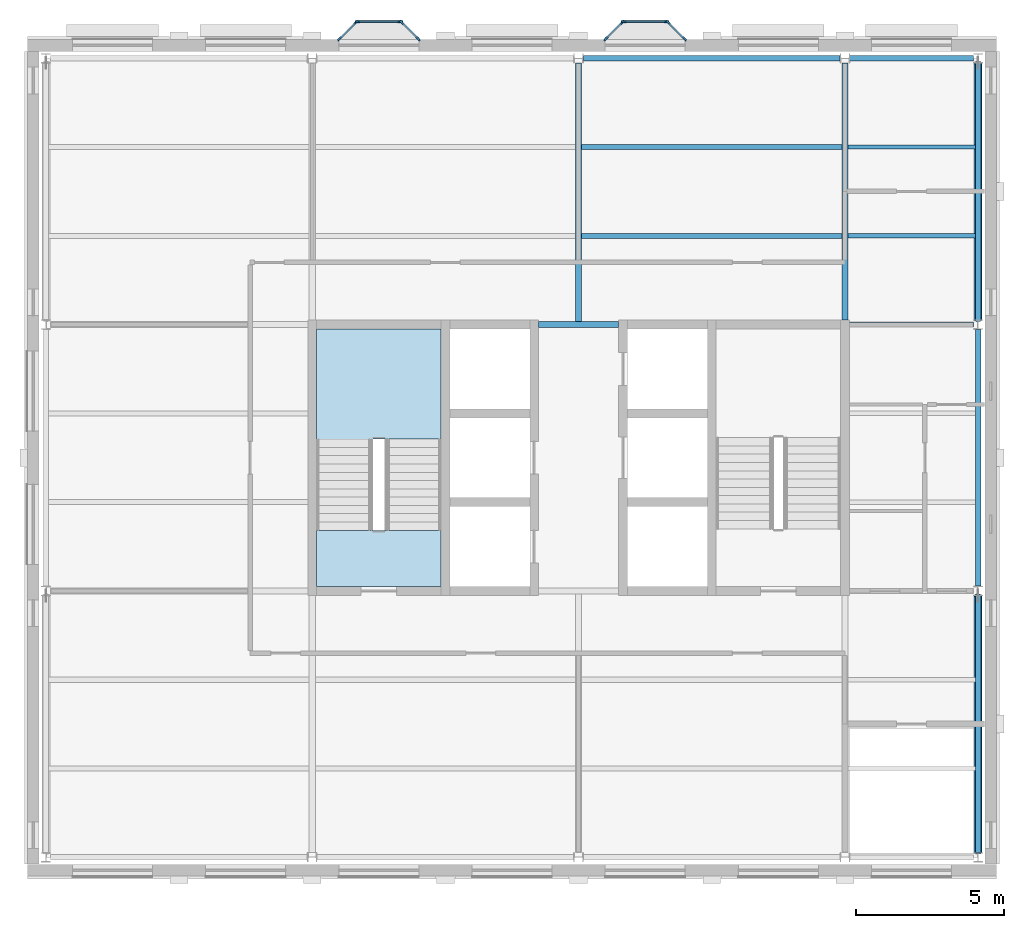
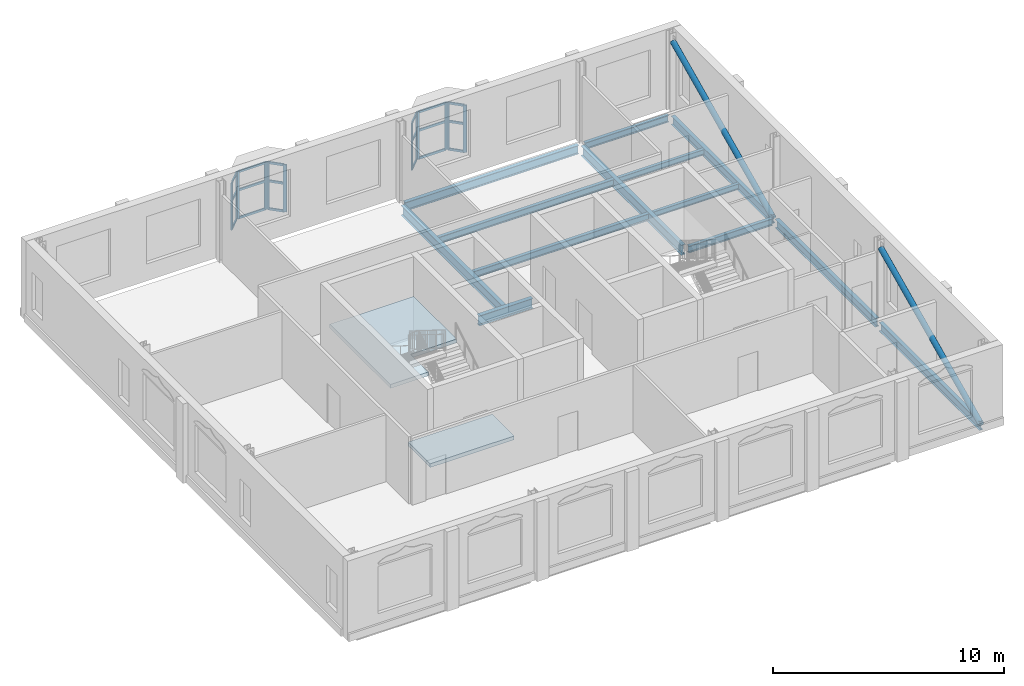
# One storey, part 2 of 9: 32 members, 13 beams, 2 slabs, 7 elements without a shape of their own.
"""IFC4 building model written with IfcOpenShell, lengths in metres."""

from ifc_helpers import new_model, si_unit, direction, frame, origin, origin_2d, place, context, subcontext, project, spatial, polyline, rectangle, hollow_circle, i_section, outline, extrude, material, layer, layer_set, material_profile, profile_set, type_object, element, aggregate, save


model = new_model("IFC4")

# Units and contexts
model_context = context("Model", 3, precision=1e-05, world=origin(), true_north=direction((0.0, 1.0)))
body_context = subcontext(model_context, "Body", "Model", "MODEL_VIEW")
ifc_project = project(units=[si_unit("LENGTHUNIT", "METRE"), si_unit("AREAUNIT", "SQUARE_METRE"), si_unit("VOLUMEUNIT", "CUBIC_METRE"), si_unit("PLANEANGLEUNIT", "RADIAN"), si_unit("MASSUNIT", "GRAM", prefix="KILO")], contexts=[model_context])

# Site, building, storey
site_placement = place(None, origin())
site = spatial("IfcSite", under=ifc_project, at=site_placement, CompositionType="ELEMENT")
building_placement = place(site_placement, origin())
building = spatial("IfcBuilding", under=site, at=building_placement, Name="Hortulan Conservatory and Botanical Research Centre", CompositionType="ELEMENT")
storey_placement = place(building_placement, frame((0.0, 0.0, 48.60009765625)))
storey = spatial("IfcBuildingStorey", under=building, at=storey_placement, Name="L11", CompositionType="ELEMENT", Elevation=48.60009765625)

# Members
ifc_material_1 = material(Name="Steel Grade C350L0 (350 MPa, AS/NZS 1163)", Category="steel")
ifc_material_profile_1 = material_profile(ifc_material_1, hollow_circle(Radius=0.136474609375, WallThickness=0.00927734375, at=origin_2d()), Name="273.1x9.3CHS")
ifc_profile_set_1 = profile_set([ifc_material_profile_1], Name="Steel Grade C350L0 (350 MPa, AS/NZS 1163)")
member_type_1 = type_object("IfcMemberType", Name="Brace 273.1x9.3CHS", PredefinedType="BRACE", material=ifc_profile_set_1)
for number, where, z_axis, x_axis, name in (
    (1, (31.5, 0.160400390625, -0.28369140625), (0.0, 0.906183139995, 0.422885465331), (-1.0, 0.0, 0.0), "273.1x9.3CHS brace"),
    (2, (31.5, 18.160400390625, -0.28369140625), (0.0, 0.906183139995, 0.422885465331), (-1.0, 0.0, 0.0), "273.1x9.3CHS brace"),
):
    element("IfcMember", number, at=place(storey_placement, frame(where, z_axis=z_axis, x_axis=x_axis)), inside=storey, type_object=member_type_1, Name=name, PredefinedType="BRACE", context=body_context, shape_type="SweptSolid", body=[
        extrude(hollow_circle(Radius=0.136474609375, WallThickness=0.00927734375, at=origin_2d()), origin(), (0.0, 0.0, 1.0), 9.57763671875),
    ])

# Curtain wall, members
ifc_material_2 = material(Name="Bronze-finished aluminium", Category="aluminium")
ifc_layer_1 = layer(ifc_material_2, 0.10009765625)
ifc_layer_set_1 = layer_set([ifc_layer_1], Name="Oriel Curtain Wall 1350 module")
curtain_wall_type = type_object("IfcCurtainWallType", Name="Oriel Curtain Wall 1350 module", PredefinedType="NOTDEFINED", material=ifc_layer_set_1)
curtain_wall_1_placement = place(storey_placement, origin())
curtain_wall_1 = element("IfcCurtainWall", 3, at=curtain_wall_1_placement, inside=storey, type_object=curtain_wall_type, Name="Oriel glazing", PredefinedType="NOTDEFINED")
ifc_material_profile_2 = material_profile(ifc_material_2, rectangle(XDim=0.06005859375, YDim=0.159912109375, at=origin_2d()), Name="Bronze Mullion 60x160")
ifc_profile_set_2 = profile_set([ifc_material_profile_2], Name="Bronze-finished aluminium")
member_type_2 = type_object("IfcMemberType", Name="Bronze Mullion 60x160", PredefinedType="MULLION", material=ifc_profile_set_2)
member_1_placement = place(storey_placement, frame((9.921142578125, 27.6572265625, 0.89990234375), z_axis=(0.0, 0.0, 1.0), x_axis=(-0.707106781187, 0.707106781187, 0.0)))
member_1 = element("IfcMember", 4, at=member_1_placement, type_object=member_type_2, Name="CW2 mullion 1", PredefinedType="MULLION", context=body_context, shape_type="SweptSolid", body=[
    extrude(rectangle(XDim=0.06005859375, YDim=0.159912109375, at=origin_2d()), origin(), (0.0, 0.0, 1.0), 2.5),
])
member_2_placement = place(storey_placement, frame((10.478759765625, 28.21484375, 0.89990234375), z_axis=(0.0, 0.0, 1.0), x_axis=(-0.707106781187, 0.707106781187, 0.0)))
member_2 = element("IfcMember", 5, at=member_2_placement, type_object=member_type_2, Name="CW2 mullion 2", PredefinedType="MULLION", context=body_context, shape_type="SweptSolid", body=[
    extrude(rectangle(XDim=0.06005859375, YDim=0.159912109375, at=origin_2d()), origin(), (0.0, 0.0, 1.0), 2.5),
])

curtain_wall_2_placement = place(storey_placement, origin())
curtain_wall_2 = element("IfcCurtainWall", 6, at=curtain_wall_2_placement, inside=storey, type_object=curtain_wall_type, Name="Oriel glazing", PredefinedType="NOTDEFINED")
member_3_placement = place(storey_placement, frame((10.530029296875, 28.236083984375, 0.89990234375), z_axis=(0.0, 0.0, 1.0), x_axis=(0.0, 1.0, 0.0)))
member_3 = element("IfcMember", 7, at=member_3_placement, type_object=member_type_2, Name="CW2 mullion 1", PredefinedType="MULLION", context=body_context, shape_type="SweptSolid", body=[
    extrude(rectangle(XDim=0.06005859375, YDim=0.159912109375, at=origin_2d()), origin(), (0.0, 0.0, 1.0), 2.5),
])
member_4_placement = place(storey_placement, frame((11.969970703125, 28.236083984375, 0.89990234375), z_axis=(0.0, 0.0, 1.0), x_axis=(0.0, 1.0, 0.0)))
member_4 = element("IfcMember", 8, at=member_4_placement, type_object=member_type_2, Name="CW2 mullion 2", PredefinedType="MULLION", context=body_context, shape_type="SweptSolid", body=[
    extrude(rectangle(XDim=0.06005859375, YDim=0.159912109375, at=origin_2d()), origin(), (0.0, 0.0, 1.0), 2.5),
])

curtain_wall_3_placement = place(storey_placement, origin())
curtain_wall_3 = element("IfcCurtainWall", 9, at=curtain_wall_3_placement, inside=storey, type_object=curtain_wall_type, Name="Oriel glazing", PredefinedType="NOTDEFINED")
member_5_placement = place(storey_placement, frame((12.021240234375, 28.21484375, 0.89990234375), z_axis=(0.0, 0.0, 1.0), x_axis=(0.707106781187, 0.707106781187, 0.0)))
member_5 = element("IfcMember", 10, at=member_5_placement, type_object=member_type_2, Name="CW2 mullion 1", PredefinedType="MULLION", context=body_context, shape_type="SweptSolid", body=[
    extrude(rectangle(XDim=0.06005859375, YDim=0.159912109375, at=origin_2d()), origin(), (0.0, 0.0, 1.0), 2.5),
])
member_6_placement = place(storey_placement, frame((12.578857421875, 27.6572265625, 0.89990234375), z_axis=(0.0, 0.0, 1.0), x_axis=(0.707106781187, 0.707106781187, 0.0)))
member_6 = element("IfcMember", 11, at=member_6_placement, type_object=member_type_2, Name="CW2 mullion 2", PredefinedType="MULLION", context=body_context, shape_type="SweptSolid", body=[
    extrude(rectangle(XDim=0.06005859375, YDim=0.159912109375, at=origin_2d()), origin(), (0.0, 0.0, 1.0), 2.5),
])

curtain_wall_4_placement = place(storey_placement, origin())
curtain_wall_4 = element("IfcCurtainWall", 12, at=curtain_wall_4_placement, inside=storey, type_object=curtain_wall_type, Name="Oriel glazing", PredefinedType="NOTDEFINED")
member_7_placement = place(storey_placement, frame((18.921142578125, 27.6572265625, 0.89990234375), z_axis=(0.0, 0.0, 1.0), x_axis=(-0.707106781187, 0.707106781187, 0.0)))
member_7 = element("IfcMember", 13, at=member_7_placement, type_object=member_type_2, Name="CW2 mullion 1", PredefinedType="MULLION", context=body_context, shape_type="SweptSolid", body=[
    extrude(rectangle(XDim=0.06005859375, YDim=0.159912109375, at=origin_2d()), origin(), (0.0, 0.0, 1.0), 2.5),
])
member_8_placement = place(storey_placement, frame((19.478759765625, 28.21484375, 0.89990234375), z_axis=(0.0, 0.0, 1.0), x_axis=(-0.707106781187, 0.707106781187, 0.0)))
member_8 = element("IfcMember", 14, at=member_8_placement, type_object=member_type_2, Name="CW2 mullion 2", PredefinedType="MULLION", context=body_context, shape_type="SweptSolid", body=[
    extrude(rectangle(XDim=0.06005859375, YDim=0.159912109375, at=origin_2d()), origin(), (0.0, 0.0, 1.0), 2.5),
])

curtain_wall_5_placement = place(storey_placement, origin())
curtain_wall_5 = element("IfcCurtainWall", 15, at=curtain_wall_5_placement, inside=storey, type_object=curtain_wall_type, Name="Oriel glazing", PredefinedType="NOTDEFINED")
member_9_placement = place(storey_placement, frame((19.530029296875, 28.236083984375, 0.89990234375), z_axis=(0.0, 0.0, 1.0), x_axis=(0.0, 1.0, 0.0)))
member_9 = element("IfcMember", 16, at=member_9_placement, type_object=member_type_2, Name="CW2 mullion 1", PredefinedType="MULLION", context=body_context, shape_type="SweptSolid", body=[
    extrude(rectangle(XDim=0.06005859375, YDim=0.159912109375, at=origin_2d()), origin(), (0.0, 0.0, 1.0), 2.5),
])
member_10_placement = place(storey_placement, frame((20.969970703125, 28.236083984375, 0.89990234375), z_axis=(0.0, 0.0, 1.0), x_axis=(0.0, 1.0, 0.0)))
member_10 = element("IfcMember", 17, at=member_10_placement, type_object=member_type_2, Name="CW2 mullion 2", PredefinedType="MULLION", context=body_context, shape_type="SweptSolid", body=[
    extrude(rectangle(XDim=0.06005859375, YDim=0.159912109375, at=origin_2d()), origin(), (0.0, 0.0, 1.0), 2.5),
])

curtain_wall_6_placement = place(storey_placement, origin())
curtain_wall_6 = element("IfcCurtainWall", 18, at=curtain_wall_6_placement, inside=storey, type_object=curtain_wall_type, Name="Oriel glazing", PredefinedType="NOTDEFINED")
member_11_placement = place(storey_placement, frame((21.021240234375, 28.21484375, 0.89990234375), z_axis=(0.0, 0.0, 1.0), x_axis=(0.707106781187, 0.707106781187, 0.0)))
member_11 = element("IfcMember", 19, at=member_11_placement, type_object=member_type_2, Name="CW2 mullion 1", PredefinedType="MULLION", context=body_context, shape_type="SweptSolid", body=[
    extrude(rectangle(XDim=0.06005859375, YDim=0.159912109375, at=origin_2d()), origin(), (0.0, 0.0, 1.0), 2.5),
])
member_12_placement = place(storey_placement, frame((21.578857421875, 27.6572265625, 0.89990234375), z_axis=(0.0, 0.0, 1.0), x_axis=(0.707106781187, 0.707106781187, 0.0)))
member_12 = element("IfcMember", 20, at=member_12_placement, type_object=member_type_2, Name="CW2 mullion 2", PredefinedType="MULLION", context=body_context, shape_type="SweptSolid", body=[
    extrude(rectangle(XDim=0.06005859375, YDim=0.159912109375, at=origin_2d()), origin(), (0.0, 0.0, 1.0), 2.5),
])

# Member
ifc_material_profile_3 = material_profile(ifc_material_2, rectangle(XDim=0.06005859375, YDim=0.1201171875, at=origin_2d()), Name="Bronze Transom 60x120")
ifc_profile_set_3 = profile_set([ifc_material_profile_3], Name="Bronze-finished aluminium")
member_type_3 = type_object("IfcMemberType", Name="Bronze Transom 60x120", PredefinedType="USERDEFINED", material=ifc_profile_set_3)
member_13_placement = place(storey_placement, frame((9.9423828125, 27.678466796875, 0.929931640625), z_axis=(0.707106781187, 0.707106781187, 0.0), x_axis=(-0.707106781187, 0.707106781187, 0.0)))
member_13 = element("IfcMember", 21, at=member_13_placement, type_object=member_type_3, Name="CW2 transom 1.1", ObjectType="TRANSOM", PredefinedType="USERDEFINED", context=body_context, shape_type="SweptSolid", body=[
    extrude(rectangle(XDim=0.06005859375, YDim=0.1201171875, at=origin_2d()), origin(), (0.0, 0.0, 1.0), 0.728515625),
])

member_14_placement = place(storey_placement, frame((9.9423828125, 27.678466796875, 2.39990234375), z_axis=(0.707106781187, 0.707106781187, 0.0), x_axis=(-0.707106781187, 0.707106781187, 0.0)))
member_14 = element("IfcMember", 22, at=member_14_placement, type_object=member_type_3, Name="CW2 transom 1.2", ObjectType="TRANSOM", PredefinedType="USERDEFINED", context=body_context, shape_type="SweptSolid", body=[
    extrude(rectangle(XDim=0.06005859375, YDim=0.1201171875, at=origin_2d()), origin(), (0.0, 0.0, 1.0), 0.728515625),
])

member_15_placement = place(storey_placement, frame((9.9423828125, 27.678466796875, 3.369873046875), z_axis=(0.707106781187, 0.707106781187, 0.0), x_axis=(-0.707106781187, 0.707106781187, 0.0)))
member_15 = element("IfcMember", 23, at=member_15_placement, type_object=member_type_3, Name="CW2 transom 1.3", ObjectType="TRANSOM", PredefinedType="USERDEFINED", context=body_context, shape_type="SweptSolid", body=[
    extrude(rectangle(XDim=0.06005859375, YDim=0.1201171875, at=origin_2d()), origin(), (0.0, 0.0, 1.0), 0.728515625),
])

aggregate(curtain_wall_1, [member_1, member_2, member_13, member_14, member_15])

member_16_placement = place(storey_placement, frame((10.56005859375, 28.236083984375, 0.929931640625), z_axis=(1.0, 0.0, 0.0), x_axis=(0.0, 1.0, 0.0)))
member_16 = element("IfcMember", 24, at=member_16_placement, type_object=member_type_3, Name="CW2 transom 1.1", ObjectType="TRANSOM", PredefinedType="USERDEFINED", context=body_context, shape_type="SweptSolid", body=[
    extrude(rectangle(XDim=0.06005859375, YDim=0.1201171875, at=origin_2d()), origin(), (0.0, 0.0, 1.0), 1.3798828125),
])

member_17_placement = place(storey_placement, frame((10.56005859375, 28.236083984375, 2.39990234375), z_axis=(1.0, 0.0, 0.0), x_axis=(0.0, 1.0, 0.0)))
member_17 = element("IfcMember", 25, at=member_17_placement, type_object=member_type_3, Name="CW2 transom 1.2", ObjectType="TRANSOM", PredefinedType="USERDEFINED", context=body_context, shape_type="SweptSolid", body=[
    extrude(rectangle(XDim=0.06005859375, YDim=0.1201171875, at=origin_2d()), origin(), (0.0, 0.0, 1.0), 1.3798828125),
])

member_18_placement = place(storey_placement, frame((10.56005859375, 28.236083984375, 3.369873046875), z_axis=(1.0, 0.0, 0.0), x_axis=(0.0, 1.0, 0.0)))
member_18 = element("IfcMember", 26, at=member_18_placement, type_object=member_type_3, Name="CW2 transom 1.3", ObjectType="TRANSOM", PredefinedType="USERDEFINED", context=body_context, shape_type="SweptSolid", body=[
    extrude(rectangle(XDim=0.06005859375, YDim=0.1201171875, at=origin_2d()), origin(), (0.0, 0.0, 1.0), 1.3798828125),
])

aggregate(curtain_wall_2, [member_3, member_4, member_16, member_17, member_18])

member_19_placement = place(storey_placement, frame((12.04248046875, 28.193603515625, 0.929931640625), z_axis=(0.707106781187, -0.707106781187, 0.0), x_axis=(0.707106781187, 0.707106781187, 0.0)))
member_19 = element("IfcMember", 27, at=member_19_placement, type_object=member_type_3, Name="CW2 transom 1.1", ObjectType="TRANSOM", PredefinedType="USERDEFINED", context=body_context, shape_type="SweptSolid", body=[
    extrude(rectangle(XDim=0.06005859375, YDim=0.1201171875, at=origin_2d()), origin(), (0.0, 0.0, 1.0), 0.728515625),
])

member_20_placement = place(storey_placement, frame((12.04248046875, 28.193603515625, 2.39990234375), z_axis=(0.707106781187, -0.707106781187, 0.0), x_axis=(0.707106781187, 0.707106781187, 0.0)))
member_20 = element("IfcMember", 28, at=member_20_placement, type_object=member_type_3, Name="CW2 transom 1.2", ObjectType="TRANSOM", PredefinedType="USERDEFINED", context=body_context, shape_type="SweptSolid", body=[
    extrude(rectangle(XDim=0.06005859375, YDim=0.1201171875, at=origin_2d()), origin(), (0.0, 0.0, 1.0), 0.728515625),
])

member_21_placement = place(storey_placement, frame((12.04248046875, 28.193603515625, 3.369873046875), z_axis=(0.707106781187, -0.707106781187, 0.0), x_axis=(0.707106781187, 0.707106781187, 0.0)))
member_21 = element("IfcMember", 29, at=member_21_placement, type_object=member_type_3, Name="CW2 transom 1.3", ObjectType="TRANSOM", PredefinedType="USERDEFINED", context=body_context, shape_type="SweptSolid", body=[
    extrude(rectangle(XDim=0.06005859375, YDim=0.1201171875, at=origin_2d()), origin(), (0.0, 0.0, 1.0), 0.728515625),
])

aggregate(curtain_wall_3, [member_5, member_6, member_19, member_20, member_21])

member_22_placement = place(storey_placement, frame((18.9423828125, 27.678466796875, 0.929931640625), z_axis=(0.707106781187, 0.707106781187, 0.0), x_axis=(-0.707106781187, 0.707106781187, 0.0)))
member_22 = element("IfcMember", 30, at=member_22_placement, type_object=member_type_3, Name="CW2 transom 1.1", ObjectType="TRANSOM", PredefinedType="USERDEFINED", context=body_context, shape_type="SweptSolid", body=[
    extrude(rectangle(XDim=0.06005859375, YDim=0.1201171875, at=origin_2d()), origin(), (0.0, 0.0, 1.0), 0.728515625),
])

member_23_placement = place(storey_placement, frame((18.9423828125, 27.678466796875, 2.39990234375), z_axis=(0.707106781187, 0.707106781187, 0.0), x_axis=(-0.707106781187, 0.707106781187, 0.0)))
member_23 = element("IfcMember", 31, at=member_23_placement, type_object=member_type_3, Name="CW2 transom 1.2", ObjectType="TRANSOM", PredefinedType="USERDEFINED", context=body_context, shape_type="SweptSolid", body=[
    extrude(rectangle(XDim=0.06005859375, YDim=0.1201171875, at=origin_2d()), origin(), (0.0, 0.0, 1.0), 0.728515625),
])

member_24_placement = place(storey_placement, frame((18.9423828125, 27.678466796875, 3.369873046875), z_axis=(0.707106781187, 0.707106781187, 0.0), x_axis=(-0.707106781187, 0.707106781187, 0.0)))
member_24 = element("IfcMember", 32, at=member_24_placement, type_object=member_type_3, Name="CW2 transom 1.3", ObjectType="TRANSOM", PredefinedType="USERDEFINED", context=body_context, shape_type="SweptSolid", body=[
    extrude(rectangle(XDim=0.06005859375, YDim=0.1201171875, at=origin_2d()), origin(), (0.0, 0.0, 1.0), 0.728515625),
])

aggregate(curtain_wall_4, [member_7, member_8, member_22, member_23, member_24])

member_25_placement = place(storey_placement, frame((19.56005859375, 28.236083984375, 0.929931640625), z_axis=(1.0, 0.0, 0.0), x_axis=(0.0, 1.0, 0.0)))
member_25 = element("IfcMember", 33, at=member_25_placement, type_object=member_type_3, Name="CW2 transom 1.1", ObjectType="TRANSOM", PredefinedType="USERDEFINED", context=body_context, shape_type="SweptSolid", body=[
    extrude(rectangle(XDim=0.06005859375, YDim=0.1201171875, at=origin_2d()), origin(), (0.0, 0.0, 1.0), 1.3798828125),
])

member_26_placement = place(storey_placement, frame((19.56005859375, 28.236083984375, 2.39990234375), z_axis=(1.0, 0.0, 0.0), x_axis=(0.0, 1.0, 0.0)))
member_26 = element("IfcMember", 34, at=member_26_placement, type_object=member_type_3, Name="CW2 transom 1.2", ObjectType="TRANSOM", PredefinedType="USERDEFINED", context=body_context, shape_type="SweptSolid", body=[
    extrude(rectangle(XDim=0.06005859375, YDim=0.1201171875, at=origin_2d()), origin(), (0.0, 0.0, 1.0), 1.3798828125),
])

member_27_placement = place(storey_placement, frame((19.56005859375, 28.236083984375, 3.369873046875), z_axis=(1.0, 0.0, 0.0), x_axis=(0.0, 1.0, 0.0)))
member_27 = element("IfcMember", 35, at=member_27_placement, type_object=member_type_3, Name="CW2 transom 1.3", ObjectType="TRANSOM", PredefinedType="USERDEFINED", context=body_context, shape_type="SweptSolid", body=[
    extrude(rectangle(XDim=0.06005859375, YDim=0.1201171875, at=origin_2d()), origin(), (0.0, 0.0, 1.0), 1.3798828125),
])

aggregate(curtain_wall_5, [member_9, member_10, member_25, member_26, member_27])

member_28_placement = place(storey_placement, frame((21.04248046875, 28.193603515625, 0.929931640625), z_axis=(0.707106781187, -0.707106781187, 0.0), x_axis=(0.707106781187, 0.707106781187, 0.0)))
member_28 = element("IfcMember", 36, at=member_28_placement, type_object=member_type_3, Name="CW2 transom 1.1", ObjectType="TRANSOM", PredefinedType="USERDEFINED", context=body_context, shape_type="SweptSolid", body=[
    extrude(rectangle(XDim=0.06005859375, YDim=0.1201171875, at=origin_2d()), origin(), (0.0, 0.0, 1.0), 0.728515625),
])

member_29_placement = place(storey_placement, frame((21.04248046875, 28.193603515625, 2.39990234375), z_axis=(0.707106781187, -0.707106781187, 0.0), x_axis=(0.707106781187, 0.707106781187, 0.0)))
member_29 = element("IfcMember", 37, at=member_29_placement, type_object=member_type_3, Name="CW2 transom 1.2", ObjectType="TRANSOM", PredefinedType="USERDEFINED", context=body_context, shape_type="SweptSolid", body=[
    extrude(rectangle(XDim=0.06005859375, YDim=0.1201171875, at=origin_2d()), origin(), (0.0, 0.0, 1.0), 0.728515625),
])

member_30_placement = place(storey_placement, frame((21.04248046875, 28.193603515625, 3.369873046875), z_axis=(0.707106781187, -0.707106781187, 0.0), x_axis=(0.707106781187, 0.707106781187, 0.0)))
member_30 = element("IfcMember", 38, at=member_30_placement, type_object=member_type_3, Name="CW2 transom 1.3", ObjectType="TRANSOM", PredefinedType="USERDEFINED", context=body_context, shape_type="SweptSolid", body=[
    extrude(rectangle(XDim=0.06005859375, YDim=0.1201171875, at=origin_2d()), origin(), (0.0, 0.0, 1.0), 0.728515625),
])

aggregate(curtain_wall_6, [member_11, member_12, member_28, member_29, member_30])

# Beams
ifc_material_3 = material(Name="Steel Grade 300PLUS (AS/NZS 3679.1, 280 MPa minimum yield)", Category="steel")
ifc_material_profile_4 = material_profile(ifc_material_3, i_section(OverallWidth=0.1708984375, OverallDepth=0.35595703125, WebThickness=0.00732421875, FlangeThickness=0.011474609375, FilletRadius=0.011474609375, at=origin_2d()), Name="360UB50.7")
ifc_profile_set_4 = profile_set([ifc_material_profile_4], Name="Steel Grade 300PLUS (AS/NZS 3679.1, 280 MPa minimum yield)")
beam_type_1 = type_object("IfcBeamType", Name="Primary Beam 360UB50.7", PredefinedType="BEAM", material=ifc_profile_set_4)
beam_1_placement = place(storey_placement, frame((27.160400390625, 27.0, -0.30810546875), z_axis=(1.0, 0.0, 0.0), x_axis=(0.0, 1.0, 0.0)))
element("IfcBeam", 39, at=beam_1_placement, inside=storey, type_object=beam_type_1, Name="360UB50.7 girder", PredefinedType="BEAM", context=body_context, shape_type="SweptSolid", body=[
    extrude(i_section(OverallWidth=0.1708984375, OverallDepth=0.35595703125, WebThickness=0.00732421875, FlangeThickness=0.011474609375, FilletRadius=0.011474609375, at=origin_2d()), origin(), (0.0, 0.0, 1.0), 4.18505859375),
])
beam_2_placement = place(storey_placement, frame((27.14990234375, 18.0, -0.30810546875), z_axis=(1.0, 0.0, 0.0), x_axis=(0.0, 1.0, 0.0)))
element("IfcBeam", 40, at=beam_2_placement, inside=storey, type_object=beam_type_1, Name="360UB50.7 girder", PredefinedType="BEAM", context=body_context, shape_type="SweptSolid", body=[
    extrude(i_section(OverallWidth=0.1708984375, OverallDepth=0.35595703125, WebThickness=0.00732421875, FlangeThickness=0.011474609375, FilletRadius=0.011474609375, at=origin_2d()), origin(), (0.0, 0.0, 1.0), 4.195556640625),
])
ifc_material_profile_5 = material_profile(ifc_material_3, i_section(OverallWidth=0.18994140625, OverallDepth=0.45703125, WebThickness=0.009033203125, FlangeThickness=0.014404296875, FilletRadius=0.011474609375, at=origin_2d()), Name="460UB74.6")
ifc_profile_set_5 = profile_set([ifc_material_profile_5], Name="Steel Grade 300PLUS (AS/NZS 3679.1, 280 MPa minimum yield)")
beam_type_2 = type_object("IfcBeamType", Name="Primary Beam 460UB74.6", PredefinedType="BEAM", material=ifc_profile_set_5)
for number, where, z_axis, x_axis, name in (
    (41, (18.160400390625, 27.0, -0.358642578125), (1.0, 0.0, 0.0), (0.0, 1.0, 0.0), "460UB74.6 girder"),
    (42, (31.5, 0.160400390625, -0.358642578125), (0.0, 1.0, 0.0), (-1.0, 0.0, 0.0), "460UB74.6 girder"),
    (43, (31.5, 9.160400390625, -0.358642578125), (0.0, 1.0, 0.0), (-1.0, 0.0, 0.0), "460UB74.6 girder"),
    (44, (31.5, 18.160400390625, -0.358642578125), (0.0, 1.0, 0.0), (-1.0, 0.0, 0.0), "460UB74.6 girder"),
):
    element("IfcBeam", number, at=place(storey_placement, frame(where, z_axis=z_axis, x_axis=x_axis)), inside=storey, type_object=beam_type_2, Name=name, PredefinedType="BEAM", context=body_context, shape_type="SweptSolid", body=[
        extrude(i_section(OverallWidth=0.18994140625, OverallDepth=0.45703125, WebThickness=0.009033203125, FlangeThickness=0.014404296875, FilletRadius=0.011474609375, at=origin_2d()), origin(), (0.0, 0.0, 1.0), 8.67919921875),
    ])
ifc_material_profile_6 = material_profile(ifc_material_3, i_section(OverallWidth=0.208984375, OverallDepth=0.528076171875, WebThickness=0.009521484375, FlangeThickness=0.01318359375, FilletRadius=0.013916015625, at=origin_2d()), Name="530UB82.0")
ifc_profile_set_6 = profile_set([ifc_material_profile_6], Name="Steel Grade 300PLUS (AS/NZS 3679.1, 280 MPa minimum yield)")
beam_type_3 = type_object("IfcBeamType", Name="Primary Beam 530UB82.0", PredefinedType="BEAM", material=ifc_profile_set_6)
beam_3_placement = place(storey_placement, frame((16.64990234375, 18.0, -0.39404296875), z_axis=(1.0, 0.0, 0.0), x_axis=(0.0, 1.0, 0.0)))
element("IfcBeam", 45, at=beam_3_placement, inside=storey, type_object=beam_type_3, Name="530UB82.0 girder", PredefinedType="BEAM", context=body_context, shape_type="SweptSolid", body=[
    extrude(i_section(OverallWidth=0.208984375, OverallDepth=0.528076171875, WebThickness=0.009521484375, FlangeThickness=0.01318359375, FilletRadius=0.013916015625, at=origin_2d()), origin(), (0.0, 0.0, 1.0), 2.7001953125),
])
beam_4_placement = place(storey_placement, frame((18.0, 18.0, -0.39404296875), z_axis=(0.0, 1.0, 0.0), x_axis=(-1.0, 0.0, 0.0)))
element("IfcBeam", 46, at=beam_4_placement, inside=storey, type_object=beam_type_3, Name="530UB82.0 girder", PredefinedType="BEAM", context=body_context, shape_type="SweptSolid", body=[
    extrude(i_section(OverallWidth=0.208984375, OverallDepth=0.528076171875, WebThickness=0.009521484375, FlangeThickness=0.01318359375, FilletRadius=0.013916015625, at=origin_2d()), origin(), (0.0, 0.0, 1.0), 8.845458984375),
])
beam_5_placement = place(storey_placement, frame((27.0, 18.14990234375, -0.39404296875), z_axis=(0.0, 1.0, 0.0), x_axis=(-1.0, 0.0, 0.0)))
element("IfcBeam", 47, at=beam_5_placement, inside=storey, type_object=beam_type_3, Name="530UB82.0 girder", PredefinedType="BEAM", context=body_context, shape_type="SweptSolid", body=[
    extrude(i_section(OverallWidth=0.208984375, OverallDepth=0.528076171875, WebThickness=0.009521484375, FlangeThickness=0.01318359375, FilletRadius=0.013916015625, at=origin_2d()), origin(), (0.0, 0.0, 1.0), 8.695556640625),
])
ifc_material_profile_7 = material_profile(ifc_material_3, i_section(OverallWidth=0.14892578125, OverallDepth=0.298095703125, WebThickness=0.005615234375, FlangeThickness=0.008056640625, FilletRadius=0.012939453125, at=origin_2d()), Name="310UB32.0")
ifc_profile_set_7 = profile_set([ifc_material_profile_7], Name="Steel Grade 300PLUS (AS/NZS 3679.1, 280 MPa minimum yield)")
beam_type_4 = type_object("IfcBeamType", Name="Secondary Beam 310UB32.0", PredefinedType="JOIST", material=ifc_profile_set_7)
for number, where, z_axis, x_axis, name in (
    (48, (27.1044921875, 21.0, -0.279052734375), (1.0, 0.0, 0.0), (0.0, 1.0, 0.0), "310UB32.0 secondary beam"),
    (49, (27.1044921875, 24.0, -0.279052734375), (1.0, 0.0, 0.0), (0.0, 1.0, 0.0), "310UB32.0 secondary beam"),
):
    element("IfcBeam", number, at=place(storey_placement, frame(where, z_axis=z_axis, x_axis=x_axis)), inside=storey, type_object=beam_type_4, Name=name, PredefinedType="JOIST", context=body_context, shape_type="SweptSolid", body=[
        extrude(i_section(OverallWidth=0.14892578125, OverallDepth=0.298095703125, WebThickness=0.005615234375, FlangeThickness=0.008056640625, FilletRadius=0.012939453125, at=origin_2d()), origin(), (0.0, 0.0, 1.0), 4.300537109375),
    ])
ifc_material_profile_8 = material_profile(ifc_material_3, i_section(OverallWidth=0.1708984375, OverallDepth=0.35595703125, WebThickness=0.00732421875, FlangeThickness=0.011474609375, FilletRadius=0.011474609375, at=origin_2d()), Name="360UB50.7")
ifc_profile_set_8 = profile_set([ifc_material_profile_8], Name="Steel Grade 300PLUS (AS/NZS 3679.1, 280 MPa minimum yield)")
beam_type_5 = type_object("IfcBeamType", Name="Secondary Beam 360UB50.7", PredefinedType="JOIST", material=ifc_profile_set_8)
for number, where, z_axis, x_axis, name in (
    (50, (18.1044921875, 21.0, -0.30810546875), (1.0, 0.0, 0.0), (0.0, 1.0, 0.0), "360UB50.7 secondary beam"),
    (51, (18.1044921875, 24.0, -0.30810546875), (1.0, 0.0, 0.0), (0.0, 1.0, 0.0), "360UB50.7 secondary beam"),
):
    element("IfcBeam", number, at=place(storey_placement, frame(where, z_axis=z_axis, x_axis=x_axis)), inside=storey, type_object=beam_type_5, Name=name, PredefinedType="JOIST", context=body_context, shape_type="SweptSolid", body=[
        extrude(i_section(OverallWidth=0.1708984375, OverallDepth=0.35595703125, WebThickness=0.00732421875, FlangeThickness=0.011474609375, FilletRadius=0.011474609375, at=origin_2d()), origin(), (0.0, 0.0, 1.0), 8.791015625),
    ])

# Stair, slab
ifc_material_4 = material(Name="Concrete N40 (40 MPa, AS 3600)", Category="concrete")
stair_type = type_object("IfcStairType", Name="Concrete Escape Stair 1900", PredefinedType="HALF_TURN_STAIR", material=ifc_material_4)
stair_placement = place(storey_placement, origin())
stair = element("IfcStair", 52, at=stair_placement, inside=storey, type_object=stair_type, Name="Stair T1 L11", PredefinedType="HALF_TURN_STAIR")
ifc_layer_2 = layer(ifc_material_4, 0.199951171875)
ifc_layer_set_2 = layer_set([ifc_layer_2], Name="Stair Landing 200")
slab_type = type_object("IfcSlabType", Name="Stair Landing 200", PredefinedType="LANDING", material=ifc_layer_set_2)
slab_1_placement = place(storey_placement, frame((0.0, 0.0, 1.89990234375)))
slab_1 = element("IfcSlab", 53, at=slab_1_placement, type_object=slab_type, Name="Stair T1 L11 half landing 1", PredefinedType="LANDING", context=body_context, shape_type="SweptSolid", body=[
    extrude(outline(polyline([(13.35009765625, 14.12939453125), (11.050048828125, 14.12939453125), (11.050048828125, 12.590087890625), (9.14990234375, 12.590087890625), (9.14990234375, 14.12939453125), (9.14990234375, 14.1298828125), (9.14990234375, 14.139892578125), (9.14990234375, 17.85009765625), (13.35009765625, 17.85009765625), (13.35009765625, 14.139892578125), (13.35009765625, 14.1298828125), (13.35009765625, 14.12939453125)])), origin(), (0.0, 0.0, 1.0), 0.199951171875),
])
aggregate(stair, [slab_1])

# Slab
slab_2_placement = place(storey_placement, frame((0.0, 0.0, -0.2001953125)))
element("IfcSlab", 54, at=slab_2_placement, inside=storey, type_object=slab_type, Name="Stair T1 floor landing L11", PredefinedType="LANDING", context=body_context, shape_type="SweptSolid", body=[
    extrude(outline(polyline([(13.35009765625, 9.14990234375), (9.14990234375, 9.14990234375), (9.14990234375, 11.050048828125), (13.35009765625, 11.050048828125), (13.35009765625, 9.14990234375)])), origin(), (0.0, 0.0, 1.0), 0.2001953125),
])

save(model, "model.ifc")
